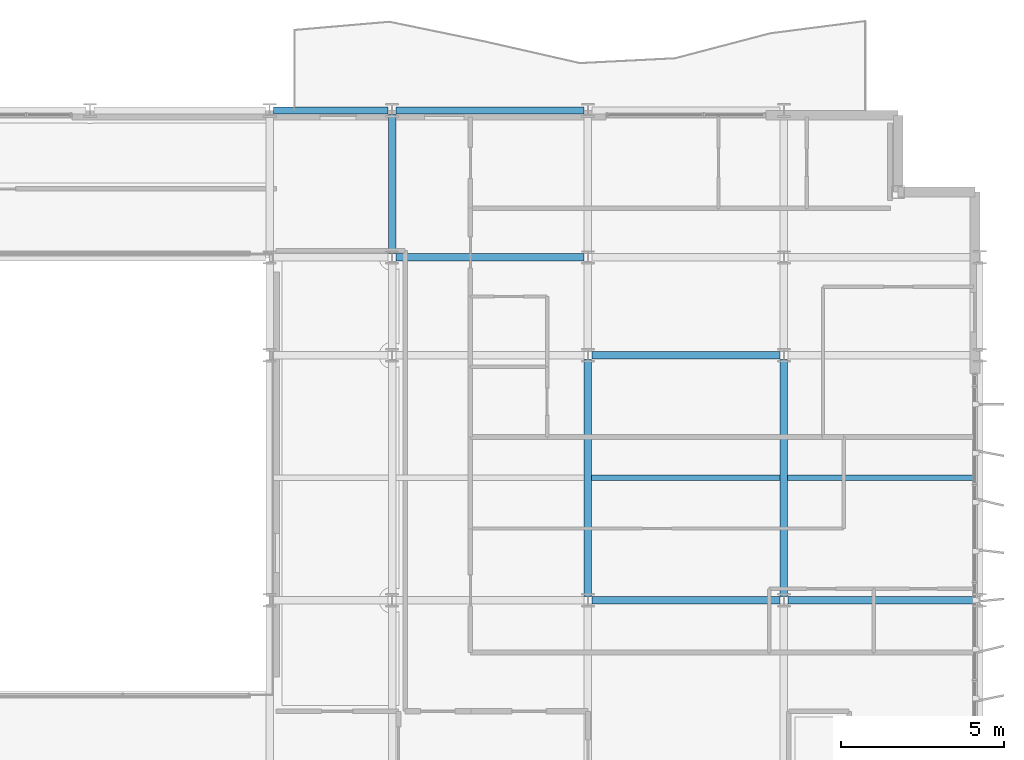
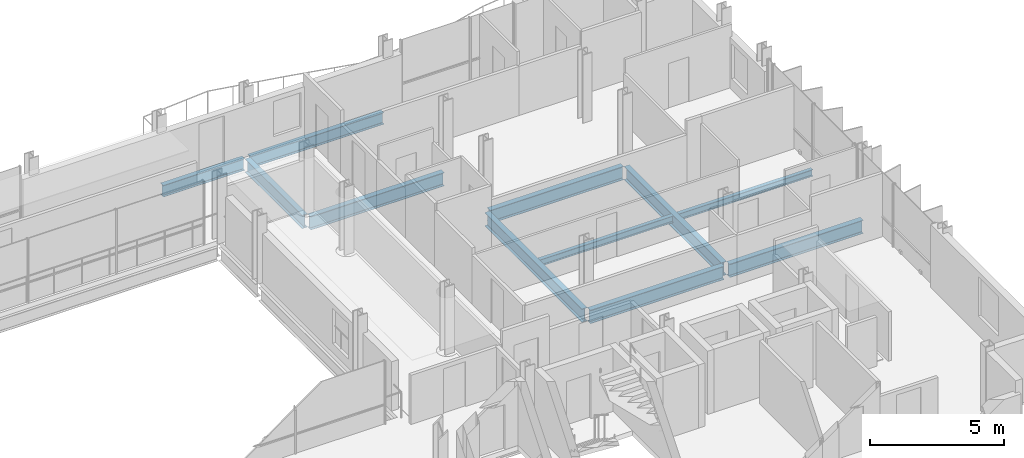
# One storey, part 20 of 40: 11 beams.
"""IFC4 building model written with IfcOpenShell, lengths in metres."""

from ifc_helpers import new_model, si_unit, direction, frame, origin, origin_2d, place, context, subcontext, project, spatial, i_section, extrude, material, material_profile, profile_set, type_object, element, save


model = new_model("IFC4")

# Units and contexts
model_context = context("Model", 3, precision=1e-05, world=origin(), true_north=direction((0.0, 1.0)))
body_context = subcontext(model_context, "Body", "Model", "MODEL_VIEW")
ifc_project = project(units=[si_unit("LENGTHUNIT", "METRE"), si_unit("AREAUNIT", "SQUARE_METRE"), si_unit("VOLUMEUNIT", "CUBIC_METRE"), si_unit("PLANEANGLEUNIT", "RADIAN"), si_unit("MASSUNIT", "GRAM", prefix="KILO")], contexts=[model_context])

# Site, building, storey
site_placement = place(None, origin())
site = spatial("IfcSite", under=ifc_project, at=site_placement, CompositionType="ELEMENT")
building_placement = place(site_placement, origin())
building = spatial("IfcBuilding", under=site, at=building_placement, Name="Brevholm Reach", CompositionType="ELEMENT")
storey_placement = place(building_placement, frame((0.0, 0.0, 148.0)))
storey = spatial("IfcBuildingStorey", under=building, at=storey_placement, Name="L44", CompositionType="ELEMENT", Elevation=148.0)

# Beams
ifc_material_1 = material(Name="Structural Steel S355J2", Category="steel")
ifc_material_profile_1 = material_profile(ifc_material_1, i_section(OverallWidth=0.1650390625, OverallDepth=0.303466796875, WebThickness=0.006103515625, FlangeThickness=0.01025390625, FilletRadius=0.0087890625, at=origin_2d()), Name="UKB 305x165x40")
ifc_profile_set_1 = profile_set([ifc_material_profile_1], Name="Structural Steel S355J2")
beam_type_1 = type_object("IfcBeamType", Name="BM-B305", PredefinedType="BEAM", material=ifc_profile_set_1)
beam_1_placement = place(storey_placement, frame((48.114501953125, 19.75, -0.37158203125), z_axis=(1.0, 0.0, 0.0), x_axis=(0.0, 1.0, 0.0)))
element("IfcBeam", 1, at=beam_1_placement, inside=storey, type_object=beam_type_1, Name="L44 Composite Secondary Floor Beam", PredefinedType="BEAM", context=body_context, shape_type="SweptSolid", body=[
    extrude(i_section(OverallWidth=0.1650390625, OverallDepth=0.303466796875, WebThickness=0.006103515625, FlangeThickness=0.01025390625, FilletRadius=0.0087890625, at=origin_2d()), origin(), (0.0, 0.0, 1.0), 5.77099609375),
])
beam_2_placement = place(storey_placement, frame((54.114501953125, 19.75, -0.37158203125), z_axis=(1.0, 0.0, 0.0), x_axis=(0.0, 1.0, 0.0)))
element("IfcBeam", 2, at=beam_2_placement, inside=storey, type_object=beam_type_1, Name="L44 Composite Secondary Floor Beam", PredefinedType="BEAM", context=body_context, shape_type="SweptSolid", body=[
    extrude(i_section(OverallWidth=0.1650390625, OverallDepth=0.303466796875, WebThickness=0.006103515625, FlangeThickness=0.01025390625, FilletRadius=0.0087890625, at=origin_2d()), origin(), (0.0, 0.0, 1.0), 5.78076171875),
])
ifc_material_2 = material(Name="Structural Steel S355J2", Category="steel")
ifc_material_profile_2 = material_profile(ifc_material_2, i_section(OverallWidth=0.209228515625, OverallDepth=0.533203125, WebThickness=0.010009765625, FlangeThickness=0.015625, FilletRadius=0.0126953125, at=origin_2d()), Name="UKB 533x210x92")
ifc_profile_set_2 = profile_set([ifc_material_profile_2], Name="Structural Steel S355J2")
beam_type_2 = type_object("IfcBeamType", Name="BM-SP533", PredefinedType="SPANDREL", material=ifc_profile_set_2)
beam_3_placement = place(storey_placement, frame((38.3701171875, 31.0, -0.486572265625), z_axis=(1.0, 0.0, 0.0), x_axis=(0.0, 1.0, 0.0)))
element("IfcBeam", 3, at=beam_3_placement, inside=storey, type_object=beam_type_2, Name="L44 SP-02 Framing Beam", PredefinedType="SPANDREL", context=body_context, shape_type="SweptSolid", body=[
    extrude(i_section(OverallWidth=0.209228515625, OverallDepth=0.533203125, WebThickness=0.010009765625, FlangeThickness=0.015625, FilletRadius=0.0126953125, at=origin_2d()), origin(), (0.0, 0.0, 1.0), 3.509765625),
])
beam_4_placement = place(storey_placement, frame((42.1201171875, 31.0, -0.486572265625), z_axis=(1.0, 0.0, 0.0), x_axis=(0.0, 1.0, 0.0)))
element("IfcBeam", 4, at=beam_4_placement, inside=storey, type_object=beam_type_2, Name="L44 SP-02 Framing Beam", PredefinedType="SPANDREL", context=body_context, shape_type="SweptSolid", body=[
    extrude(i_section(OverallWidth=0.209228515625, OverallDepth=0.533203125, WebThickness=0.010009765625, FlangeThickness=0.015625, FilletRadius=0.0126953125, at=origin_2d()), origin(), (0.0, 0.0, 1.0), 5.759765625),
])
ifc_material_3 = material(Name="Structural Steel S355J2", Category="steel")
ifc_material_profile_3 = material_profile(ifc_material_3, i_section(OverallWidth=0.22900390625, OverallDepth=0.6123046875, WebThickness=0.011962890625, FlangeThickness=0.01953125, FilletRadius=0.0126953125, at=origin_2d()), Name="UKB 610x229x125")
ifc_profile_set_3 = profile_set([ifc_material_profile_3], Name="Structural Steel S355J2")
beam_type_3 = type_object("IfcBeamType", Name="BM-SP610", PredefinedType="SPANDREL", material=ifc_profile_set_3)
for number, where, z_axis, x_axis, name in (
    (5, (48.1201171875, 16.0, -0.526123046875), (1.0, 0.0, 0.0), (0.0, 1.0, 0.0), "L44 SP-01 Framing Beam"),
    (6, (54.1201171875, 16.0, -0.526123046875), (1.0, 0.0, 0.0), (0.0, 1.0, 0.0), "L44 SP-01 Framing Beam"),
    (7, (48.1201171875, 23.5, -0.526123046875), (1.0, 0.0, 0.0), (0.0, 1.0, 0.0), "L44 SP-01 Framing Beam"),
    (8, (42.1201171875, 26.5, -0.526123046875), (1.0, 0.0, 0.0), (0.0, 1.0, 0.0), "L44 SP-01 Framing Beam"),
):
    element("IfcBeam", number, at=place(storey_placement, frame(where, z_axis=z_axis, x_axis=x_axis)), inside=storey, type_object=beam_type_3, Name=name, PredefinedType="SPANDREL", context=body_context, shape_type="SweptSolid", body=[
        extrude(i_section(OverallWidth=0.22900390625, OverallDepth=0.6123046875, WebThickness=0.011962890625, FlangeThickness=0.01953125, FilletRadius=0.0126953125, at=origin_2d()), origin(), (0.0, 0.0, 1.0), 5.759765625),
    ])
beam_5_placement = place(storey_placement, frame((42.0, 26.6201171875, -0.526123046875), z_axis=(0.0, 1.0, 0.0), x_axis=(-1.0, 0.0, 0.0)))
element("IfcBeam", 9, at=beam_5_placement, inside=storey, type_object=beam_type_3, Name="L44 SP-01 Framing Beam", PredefinedType="SPANDREL", context=body_context, shape_type="SweptSolid", body=[
    extrude(i_section(OverallWidth=0.22900390625, OverallDepth=0.6123046875, WebThickness=0.011962890625, FlangeThickness=0.01953125, FilletRadius=0.0126953125, at=origin_2d()), origin(), (0.0, 0.0, 1.0), 4.259765625),
])
for number, where, z_axis, x_axis, name in (
    (10, (48.0, 16.1201171875, -0.526123046875), (0.0, 1.0, 0.0), (-1.0, 0.0, 0.0), "L44 SP-01 Framing Beam"),
    (11, (54.0, 16.1201171875, -0.526123046875), (0.0, 1.0, 0.0), (-1.0, 0.0, 0.0), "L44 SP-01 Framing Beam"),
):
    element("IfcBeam", number, at=place(storey_placement, frame(where, z_axis=z_axis, x_axis=x_axis)), inside=storey, type_object=beam_type_3, Name=name, PredefinedType="SPANDREL", context=body_context, shape_type="SweptSolid", body=[
        extrude(i_section(OverallWidth=0.22900390625, OverallDepth=0.6123046875, WebThickness=0.011962890625, FlangeThickness=0.01953125, FilletRadius=0.0126953125, at=origin_2d()), origin(), (0.0, 0.0, 1.0), 7.259765625),
    ])

save(model, "model.ifc")
